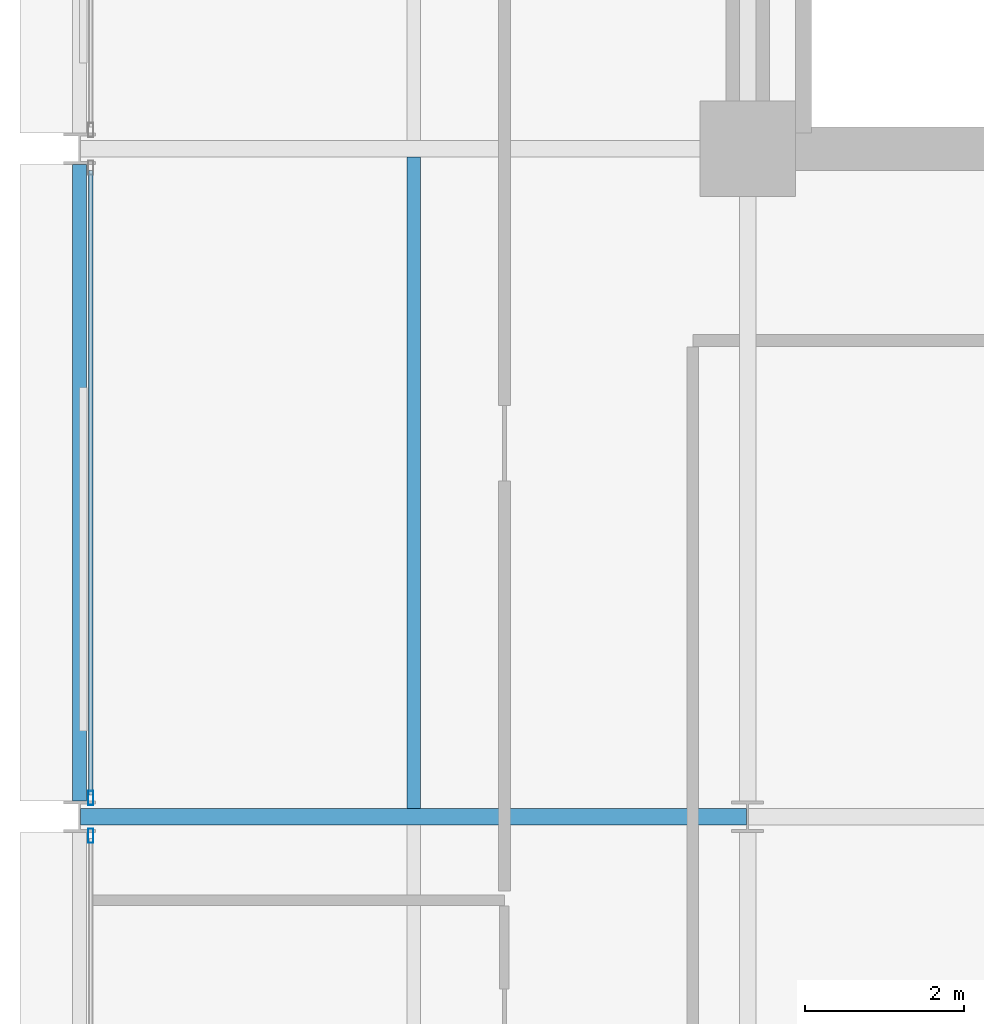
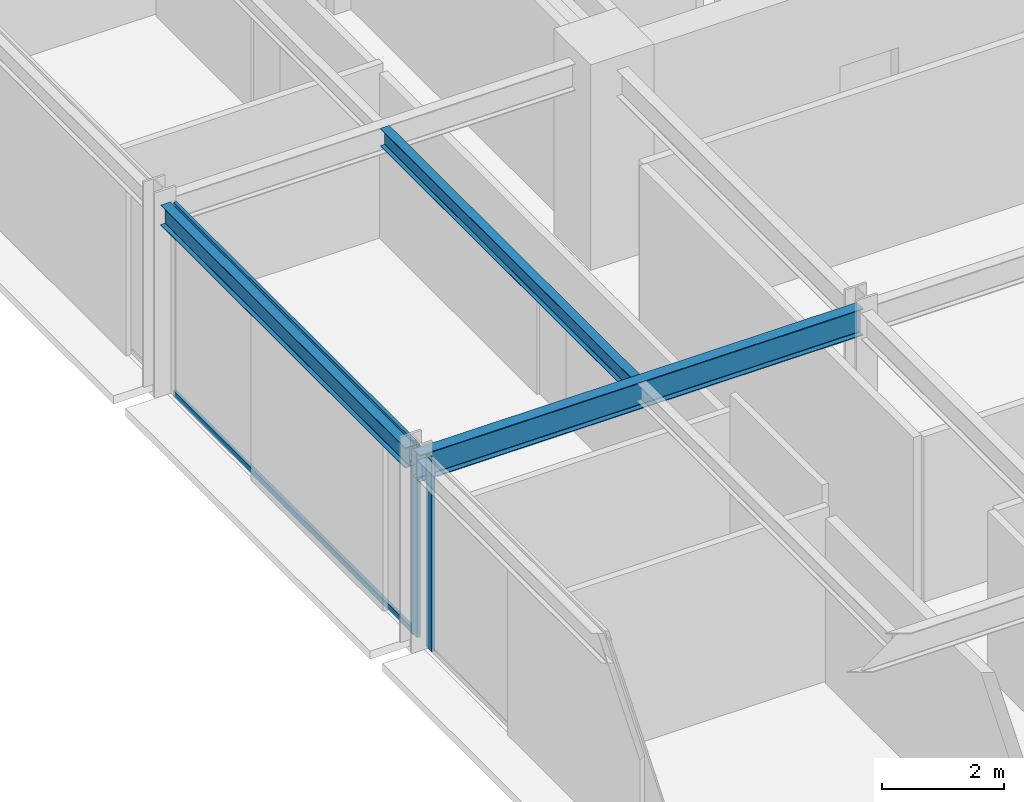
# One storey, part 8 of 30: 4 members, 3 beams, 2 elements without a shape of their own.
"""IFC4 building model written with IfcOpenShell, lengths in metres."""

import ifcopenshell
import ifcopenshell.guid

model = None  # the IFC model being written
_history = None  # IfcOwnerHistory: only IFC2X3 demands one
_inside = {}  # id of a spatial element -> (the spatial element, [elements in it])
_under = {}  # id of a project, library or spatial element -> (it, [spatial elements below it])
_declared = {}  # id of a project -> (the project, [libraries it declares])
_typed = {}  # id of a type object -> (the type object, [elements of that type])
_made_of = {}  # id of a material, layer set ... -> (it, [elements and type objects made of it])


def new_model(schema):
    """Start an empty IFC model of exactly this schema.

    Asked for "IFC4X3", IfcOpenShell would pick the latest addendum, in which some entities
    have other attributes; the version numbers below select the first issue.
    IFC2X3 requires an IfcOwnerHistory on every rooted entity: one is made here for all.
    """
    global model, _history
    if schema == "IFC4X3":
        model = ifcopenshell.file(schema_version=(4, 3, 0, 0))
    else:
        model = ifcopenshell.file(schema=schema)
    _inside.clear()
    _under.clear()
    _declared.clear()
    _typed.clear()
    _made_of.clear()
    _history = None
    if model.schema == "IFC2X3":
        org = make("IfcOrganization", Name="unknown")
        user = make(
            "IfcPersonAndOrganization",
            ThePerson=make("IfcPerson", FamilyName="unknown"),
            TheOrganization=org,
        )
        app = make(
            "IfcApplication",
            ApplicationDeveloper=org,
            Version="unknown",
            ApplicationFullName="unknown",
            ApplicationIdentifier="unknown",
        )
        _history = make(
            "IfcOwnerHistory",
            OwningUser=user,
            OwningApplication=app,
            ChangeAction="ADDED",
            CreationDate=0,
        )
    return model


def make(cls, **values):
    """One entity of the class cls with the attributes given. An attribute that is None is left unset."""
    return model.create_entity(
        cls, **{name: value for name, value in values.items() if value is not None}
    )


def rooted(cls, **values):
    """An entity with a GlobalId (a new one), such as an element, a storey or a relation."""
    return make(cls, GlobalId=ifcopenshell.guid.new(), OwnerHistory=_history, **values)


def si_unit(unit_type, name, prefix=None):
    """IfcSIUnit, for example si_unit("LENGTHUNIT", "METRE", prefix="MILLI")."""
    return make("IfcSIUnit", UnitType=unit_type, Prefix=prefix, Name=name)


def assignment(units):
    """IfcUnitAssignment: the units of a project."""
    return None if units is None else make("IfcUnitAssignment", Units=units)


def point(xyz):
    """IfcCartesianPoint."""
    return None if xyz is None else make("IfcCartesianPoint", Coordinates=xyz)


def direction(xyz):
    """IfcDirection."""
    return None if xyz is None else make("IfcDirection", DirectionRatios=xyz)


def frame(location, z_axis=None, x_axis=None):
    """IfcAxis2Placement3D, a coordinate frame: its origin and axes. An axis left out is left unset."""
    return make(
        "IfcAxis2Placement3D",
        Location=point(location),
        Axis=direction(z_axis),
        RefDirection=direction(x_axis),
    )


def frame_2d(location, x_axis=None):
    """IfcAxis2Placement2D, a coordinate frame in the plane: its origin and x axis."""
    return make(
        "IfcAxis2Placement2D", Location=point(location), RefDirection=direction(x_axis)
    )


def origin():
    """The frame at (0, 0, 0) with its axes left unset."""
    return frame((0.0, 0.0, 0.0))


def origin_2d():
    """The frame at (0, 0) in the plane with its x axis left unset."""
    return frame_2d((0.0, 0.0))


def place(relative_to, where):
    """IfcLocalPlacement: puts the frame where relative to a parent placement (None: the world)."""
    return make(
        "IfcLocalPlacement", PlacementRelTo=relative_to, RelativePlacement=where
    )


def context(
    kind, dimensions, precision=None, world=None, true_north=None, identifier=None
):
    """IfcGeometricRepresentationContext, for example the 3D "Model" context."""
    return make(
        "IfcGeometricRepresentationContext",
        ContextIdentifier=identifier,
        ContextType=kind,
        CoordinateSpaceDimension=dimensions,
        Precision=precision,
        WorldCoordinateSystem=world,
        TrueNorth=true_north,
    )


def subcontext(parent, identifier, kind, view, scale=None):
    """IfcGeometricRepresentationSubContext, for example "Body" below "Model"."""
    return make(
        "IfcGeometricRepresentationSubContext",
        ContextIdentifier=identifier,
        ContextType=kind,
        ParentContext=parent,
        TargetScale=scale,
        TargetView=view,
    )


def project(units=None, contexts=None):
    """IfcProject with its units and contexts."""
    return rooted(
        "IfcProject",
        Name="project",
        RepresentationContexts=contexts,
        UnitsInContext=assignment(units),
    )


def spatial(cls, under=None, at=None, **own):
    """A site, building, storey or space (cls), placed at a placement, below another one or the project."""
    s = rooted(cls, ObjectPlacement=at, **own)
    if under is not None:
        _under.setdefault(under.id(), (under, []))[1].append(s)
    return s


def profile(cls, at=None, kind="AREA", **sizes):
    """A parametric profile (cls). Its sizes go by their IFC names, for example OverallWidth=200.0."""
    return make(cls, ProfileType=kind, Position=at, **sizes)


def hollow_rectangle(**sizes):
    """IfcRectangleHollowProfileDef."""
    return profile("IfcRectangleHollowProfileDef", **sizes)


def i_section(**sizes):
    """IfcIShapeProfileDef."""
    return profile("IfcIShapeProfileDef", **sizes)


def extrude(swept, where, along, depth):
    """IfcExtrudedAreaSolid: the profile swept, set in the frame where, extruded along a direction by depth."""
    return make(
        "IfcExtrudedAreaSolid",
        SweptArea=swept,
        Position=where,
        ExtrudedDirection=direction(along),
        Depth=depth,
    )


def shape(context_of_items, identifier, shape_type, items):
    """IfcShapeRepresentation: the items that make up one representation, for example the "Body"."""
    return make(
        "IfcShapeRepresentation",
        ContextOfItems=context_of_items,
        RepresentationIdentifier=identifier,
        RepresentationType=shape_type,
        Items=items,
    )


def material(Name=None, Category=None):
    """IfcMaterial."""
    return make("IfcMaterial", Name=Name, Category=Category)


def layer(
    of_material, thickness, ventilated=None, Name=None, Category=None, Priority=None
):
    """IfcMaterialLayer: one layer of a wall or slab, of a material (None: an air gap)."""
    return make(
        "IfcMaterialLayer",
        Material=of_material,
        LayerThickness=thickness,
        IsVentilated=ventilated,
        Name=Name,
        Category=Category,
        Priority=Priority,
    )


def layer_set(layers, Name=None):
    """IfcMaterialLayerSet."""
    return make("IfcMaterialLayerSet", MaterialLayers=layers, LayerSetName=Name)


def material_profile(
    of_material, cross_section, Name=None, Category=None, Priority=None
):
    """IfcMaterialProfile: a cross section and its material."""
    return make(
        "IfcMaterialProfile",
        Name=Name,
        Material=of_material,
        Profile=cross_section,
        Priority=Priority,
        Category=Category,
    )


def profile_set(profiles, Name=None, composite=None):
    """IfcMaterialProfileSet."""
    return make(
        "IfcMaterialProfileSet",
        Name=Name,
        MaterialProfiles=profiles,
        CompositeProfile=composite,
    )


def made_of(thing, what):
    """Note that an element or type object is made of a material, layer set ...; save() writes the relation."""
    if what is not None:
        _made_of.setdefault(what.id(), (what, []))[1].append(thing)
    return thing


def type_object(cls, material=None, **own):
    """A type object (cls), such as IfcWallType, which elements share."""
    return made_of(rooted(cls, **own), material)


def element(
    cls,
    number,
    at=None,
    inside=None,
    cuts=None,
    type_object=None,
    material=None,
    context=None,
    identifier="Body",
    shape_type=None,
    held_by="IfcProductDefinitionShape",
    body=None,
    shapes=None,
    **own,
):
    """One element of the class cls, such as IfcWall. Its Tag is "e" and its number.

    at: its placement. inside: the storey or other place that contains it. cuts: it is an
    opening in that element (IfcRelVoidsElement). A single representation is given by context,
    identifier, shape_type and body (its items); several are given by shapes. held_by: the class
    of the entity that holds the representations. save() writes the other relations.
    """
    e = rooted(cls, Tag="e%d" % number, ObjectPlacement=at, **own)
    if body is not None:
        shapes = [shape(context, identifier, shape_type, body)]
    if shapes is not None:
        e.Representation = make(held_by, Representations=shapes)
    if inside is not None:
        _inside.setdefault(inside.id(), (inside, []))[1].append(e)
    if cuts is not None:
        rooted(
            "IfcRelVoidsElement", RelatingBuildingElement=cuts, RelatedOpeningElement=e
        )
    if type_object is not None:
        _typed.setdefault(type_object.id(), (type_object, []))[1].append(e)
    return made_of(e, material)


def aggregate(whole, parts):
    """IfcRelAggregates: a whole, such as a stair, and the parts it consists of."""
    return rooted("IfcRelAggregates", RelatingObject=whole, RelatedObjects=parts)


def save(model, path):
    """Write the relations noted so far, then the file.

    IfcRelAggregates (storeys below a building ...), IfcRelContainedInSpatialStructure (elements
    in a storey), IfcRelDefinesByType, IfcRelAssociatesMaterial and IfcRelDeclares: one each for
    every whole, place, type object, material and project.
    """
    for whole, parts in _under.values():
        aggregate(whole, parts)
    for where, things in _inside.values():
        rooted(
            "IfcRelContainedInSpatialStructure",
            RelatedElements=things,
            RelatingStructure=where,
        )
    for kind, things in _typed.values():
        rooted("IfcRelDefinesByType", RelatedObjects=things, RelatingType=kind)
    for what, things in _made_of.values():
        rooted("IfcRelAssociatesMaterial", RelatedObjects=things, RelatingMaterial=what)
    for by, libraries in _declared.values():
        rooted("IfcRelDeclares", RelatingContext=by, RelatedDefinitions=libraries)
    model.write(path)


model = new_model("IFC4")

# Units and contexts
model_context = context("Model", 3, precision=1e-05, world=origin(), true_north=direction((0.0, 1.0)))
body_context = subcontext(model_context, "Body", "Model", "MODEL_VIEW")
ifc_project = project(units=[si_unit("LENGTHUNIT", "METRE"), si_unit("AREAUNIT", "SQUARE_METRE"), si_unit("VOLUMEUNIT", "CUBIC_METRE"), si_unit("PLANEANGLEUNIT", "RADIAN"), si_unit("MASSUNIT", "GRAM", prefix="KILO")], contexts=[model_context])

# Site, building, storey
site_placement = place(None, origin())
site = spatial("IfcSite", under=ifc_project, at=site_placement, CompositionType="ELEMENT")
building_placement = place(site_placement, origin())
building = spatial("IfcBuilding", under=site, at=building_placement, Name="Nerrivon Quay Data Exchange", CompositionType="ELEMENT")
storey_placement = place(building_placement, frame((0.0, 0.0, 129.5)))
storey = spatial("IfcBuildingStorey", under=building, at=storey_placement, Name="L30", CompositionType="ELEMENT", Elevation=129.5)

# Beams
ifc_material_1 = material(Name="Steel Grade 350", Category="steel")
ifc_material_profile_1 = material_profile(ifc_material_1, i_section(OverallWidth=0.208984375, OverallDepth=0.532958984375, WebThickness=0.01025390625, FlangeThickness=0.015625, FilletRadius=0.013916015625, at=origin_2d()), Name="530UB92.4")
ifc_profile_set_1 = profile_set([ifc_material_profile_1], Name="Steel Grade 350")
beam_type_1 = type_object("IfcBeamType", Name="BM-G3-530UB92", PredefinedType="BEAM", material=ifc_profile_set_1)
beam_1_placement = place(storey_placement, frame((0.012451171875, 16.800048828125, 3.55859375), z_axis=(1.0, 0.0, 0.0), x_axis=(0.0, 1.0, 0.0)))
element("IfcBeam", 1, at=beam_1_placement, inside=storey, type_object=beam_type_1, Name="L30 EW Girder Y=16.8 (0.0..8.4)", PredefinedType="BEAM", context=body_context, shape_type="SweptSolid", body=[
    extrude(i_section(OverallWidth=0.208984375, OverallDepth=0.532958984375, WebThickness=0.01025390625, FlangeThickness=0.015625, FilletRadius=0.013916015625, at=origin_2d()), origin(), (0.0, 0.0, 1.0), 8.375),
])
ifc_material_profile_2 = material_profile(ifc_material_1, i_section(OverallWidth=0.1708984375, OverallDepth=0.35595703125, WebThickness=0.00732421875, FlangeThickness=0.011474609375, FilletRadius=0.011474609375, at=origin_2d()), Name="360UB50.7")
ifc_profile_set_2 = profile_set([ifc_material_profile_2], Name="Steel Grade 350")
beam_type_2 = type_object("IfcBeamType", Name="BM-J4-360UB51", PredefinedType="JOIST", material=ifc_profile_set_2)
beam_2_placement = place(storey_placement, frame((4.199951171875, 16.904541015625, 3.64697265625), z_axis=(0.0, 1.0, 0.0), x_axis=(-1.0, 0.0, 0.0)))
element("IfcBeam", 2, at=beam_2_placement, inside=storey, type_object=beam_type_2, Name="L30 Secondary Joist X=4.2 (16.8..25.2)", PredefinedType="JOIST", context=body_context, shape_type="SweptSolid", body=[
    extrude(i_section(OverallWidth=0.1708984375, OverallDepth=0.35595703125, WebThickness=0.00732421875, FlangeThickness=0.011474609375, FilletRadius=0.011474609375, at=origin_2d()), origin(), (0.0, 0.0, 1.0), 8.19091796875),
])
ifc_material_profile_3 = material_profile(ifc_material_1, i_section(OverallWidth=0.177978515625, OverallDepth=0.403076171875, WebThickness=0.007568359375, FlangeThickness=0.010986328125, FilletRadius=0.011474609375, at=origin_2d()), Name="410UB53.7")
ifc_profile_set_3 = profile_set([ifc_material_profile_3], Name="Steel Grade 350")
beam_type_3 = type_object("IfcBeamType", Name="BM-SP2-410UB54", PredefinedType="SPANDREL", material=ifc_profile_set_3)
beam_3_placement = place(storey_placement, frame((0.0, 17.0, 3.62353515625), z_axis=(0.0, 1.0, 0.0), x_axis=(-1.0, 0.0, 0.0)))
element("IfcBeam", 3, at=beam_3_placement, inside=storey, type_object=beam_type_3, Name="L30 NS Girder X=0.0 (16.8..25.2)", PredefinedType="SPANDREL", context=body_context, shape_type="SweptSolid", body=[
    extrude(i_section(OverallWidth=0.177978515625, OverallDepth=0.403076171875, WebThickness=0.007568359375, FlangeThickness=0.010986328125, FilletRadius=0.011474609375, at=origin_2d()), origin(), (0.0, 0.0, 1.0), 8.0),
])

# Curtain wall, member
ifc_material_2 = material(Name="Anodised aluminium 6063-T6", Category="aluminium")
ifc_layer = layer(ifc_material_2, 0.2099609375)
ifc_layer_set = layer_set([ifc_layer], Name="Anodised aluminium 6063-T6")
curtain_wall_type = type_object("IfcCurtainWallType", Name="CW-SYS-02", PredefinedType="NOTDEFINED", material=ifc_layer_set)
curtain_wall_1_placement = place(storey_placement, origin())
curtain_wall_1 = element("IfcCurtainWall", 4, at=curtain_wall_1_placement, inside=storey, type_object=curtain_wall_type, Name="L30 Unitised Curtain Wall 12", PredefinedType="NOTDEFINED")
ifc_material_profile_4 = material_profile(ifc_material_2, hollow_rectangle(XDim=0.06494140625, YDim=0.179931640625, WallThickness=0.00341796875, at=origin_2d()), Name="ALU-MULL-180x65")
ifc_profile_set_4 = profile_set([ifc_material_profile_4], Name="Anodised aluminium 6063-T6")
member_type_1 = type_object("IfcMemberType", Name="CWM-180x65", PredefinedType="MULLION", material=ifc_profile_set_4)
member_1_placement = place(storey_placement, frame((0.139892578125, 16.5625, 0.0), z_axis=(0.0, 0.0, 1.0), x_axis=(-1.0, 0.0, 0.0)))
member_1 = element("IfcMember", 5, at=member_1_placement, type_object=member_type_1, Name="CW02 mullion 2", PredefinedType="MULLION", context=body_context, shape_type="SweptSolid", body=[
    extrude(hollow_rectangle(XDim=0.06494140625, YDim=0.179931640625, WallThickness=0.00341796875, at=origin_2d()), origin(), (0.0, 0.0, 1.0), 3.824951171875),
])
aggregate(curtain_wall_1, [member_1])

# Curtain wall, members
curtain_wall_2_placement = place(storey_placement, origin())
curtain_wall_2 = element("IfcCurtainWall", 6, at=curtain_wall_2_placement, inside=storey, type_object=curtain_wall_type, Name="L30 Unitised Curtain Wall 13", PredefinedType="NOTDEFINED")
member_2_placement = place(storey_placement, frame((0.139892578125, 17.03759765625, 0.0), z_axis=(0.0, 0.0, 1.0), x_axis=(-1.0, 0.0, 0.0)))
member_2 = element("IfcMember", 7, at=member_2_placement, type_object=member_type_1, Name="CW02 mullion 1", PredefinedType="MULLION", context=body_context, shape_type="SweptSolid", body=[
    extrude(hollow_rectangle(XDim=0.06494140625, YDim=0.179931640625, WallThickness=0.00341796875, at=origin_2d()), origin(), (0.0, 0.0, 1.0), 3.824951171875),
])
ifc_material_profile_5 = material_profile(ifc_material_2, hollow_rectangle(XDim=0.06005859375, YDim=0.1201171875, WallThickness=0.003173828125, at=origin_2d()), Name="ALU-TRAN-120x60")
ifc_profile_set_5 = profile_set([ifc_material_profile_5], Name="Anodised aluminium 6063-T6")
member_type_2 = type_object("IfcMemberType", Name="CWT-120x60", PredefinedType="USERDEFINED", material=ifc_profile_set_5)
member_3_placement = place(storey_placement, frame((0.139892578125, 17.074951171875, 0.032470703125), z_axis=(0.0, 1.0, 0.0), x_axis=(-1.0, 0.0, 0.0)))
member_3 = element("IfcMember", 8, at=member_3_placement, type_object=member_type_2, Name="CW02 transom 1.1", ObjectType="TRANSOM", PredefinedType="USERDEFINED", context=body_context, shape_type="SweptSolid", body=[
    extrude(hollow_rectangle(XDim=0.06005859375, YDim=0.1201171875, WallThickness=0.003173828125, at=origin_2d()), origin(), (0.0, 0.0, 1.0), 7.85009765625),
])
member_4_placement = place(storey_placement, frame((0.139892578125, 17.074951171875, 3.79248046875), z_axis=(0.0, 1.0, 0.0), x_axis=(-1.0, 0.0, 0.0)))
member_4 = element("IfcMember", 9, at=member_4_placement, type_object=member_type_2, Name="CW02 transom 1.2", ObjectType="TRANSOM", PredefinedType="USERDEFINED", context=body_context, shape_type="SweptSolid", body=[
    extrude(hollow_rectangle(XDim=0.06005859375, YDim=0.1201171875, WallThickness=0.003173828125, at=origin_2d()), origin(), (0.0, 0.0, 1.0), 7.85009765625),
])
aggregate(curtain_wall_2, [member_2, member_3, member_4])

save(model, "model.ifc")
